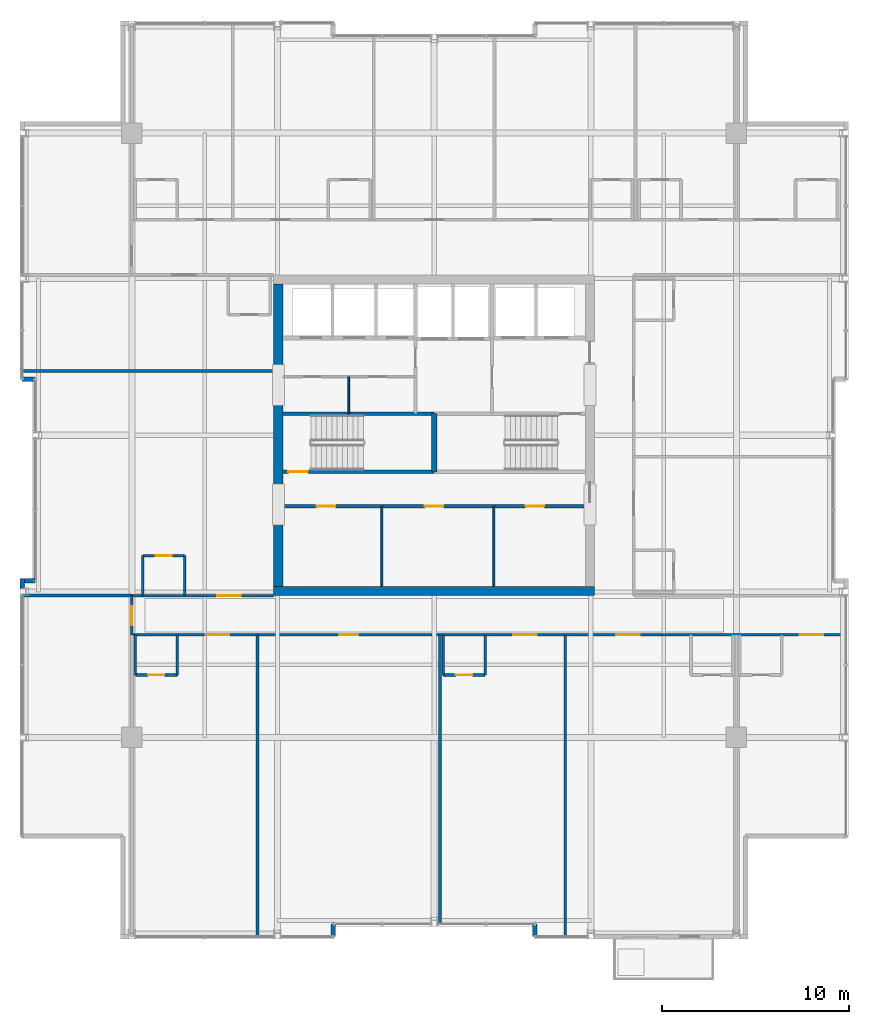
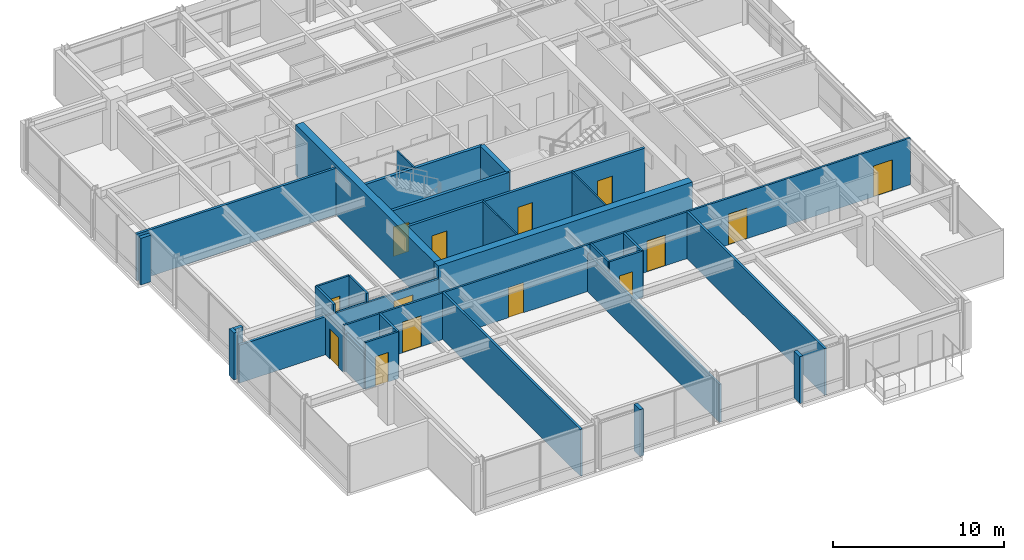
# One storey, part 26 of 31: 31 walls, 14 doors, 14 openings.
"""IFC4 building model written with IfcOpenShell, lengths in metres."""

import ifcopenshell
import ifcopenshell.guid

model = None  # the IFC model being written
_history = None  # IfcOwnerHistory: only IFC2X3 demands one
_inside = {}  # id of a spatial element -> (the spatial element, [elements in it])
_under = {}  # id of a project, library or spatial element -> (it, [spatial elements below it])
_declared = {}  # id of a project -> (the project, [libraries it declares])
_typed = {}  # id of a type object -> (the type object, [elements of that type])
_made_of = {}  # id of a material, layer set ... -> (it, [elements and type objects made of it])


def new_model(schema):
    """Start an empty IFC model of exactly this schema.

    Asked for "IFC4X3", IfcOpenShell would pick the latest addendum, in which some entities
    have other attributes; the version numbers below select the first issue.
    IFC2X3 requires an IfcOwnerHistory on every rooted entity: one is made here for all.
    """
    global model, _history
    if schema == "IFC4X3":
        model = ifcopenshell.file(schema_version=(4, 3, 0, 0))
    else:
        model = ifcopenshell.file(schema=schema)
    _inside.clear()
    _under.clear()
    _declared.clear()
    _typed.clear()
    _made_of.clear()
    _history = None
    if model.schema == "IFC2X3":
        org = make("IfcOrganization", Name="unknown")
        user = make(
            "IfcPersonAndOrganization",
            ThePerson=make("IfcPerson", FamilyName="unknown"),
            TheOrganization=org,
        )
        app = make(
            "IfcApplication",
            ApplicationDeveloper=org,
            Version="unknown",
            ApplicationFullName="unknown",
            ApplicationIdentifier="unknown",
        )
        _history = make(
            "IfcOwnerHistory",
            OwningUser=user,
            OwningApplication=app,
            ChangeAction="ADDED",
            CreationDate=0,
        )
    return model


def make(cls, **values):
    """One entity of the class cls with the attributes given. An attribute that is None is left unset."""
    return model.create_entity(
        cls, **{name: value for name, value in values.items() if value is not None}
    )


def rooted(cls, **values):
    """An entity with a GlobalId (a new one), such as an element, a storey or a relation."""
    return make(cls, GlobalId=ifcopenshell.guid.new(), OwnerHistory=_history, **values)


def si_unit(unit_type, name, prefix=None):
    """IfcSIUnit, for example si_unit("LENGTHUNIT", "METRE", prefix="MILLI")."""
    return make("IfcSIUnit", UnitType=unit_type, Prefix=prefix, Name=name)


def assignment(units):
    """IfcUnitAssignment: the units of a project."""
    return None if units is None else make("IfcUnitAssignment", Units=units)


def point(xyz):
    """IfcCartesianPoint."""
    return None if xyz is None else make("IfcCartesianPoint", Coordinates=xyz)


def direction(xyz):
    """IfcDirection."""
    return None if xyz is None else make("IfcDirection", DirectionRatios=xyz)


def frame(location, z_axis=None, x_axis=None):
    """IfcAxis2Placement3D, a coordinate frame: its origin and axes. An axis left out is left unset."""
    return make(
        "IfcAxis2Placement3D",
        Location=point(location),
        Axis=direction(z_axis),
        RefDirection=direction(x_axis),
    )


def frame_2d(location, x_axis=None):
    """IfcAxis2Placement2D, a coordinate frame in the plane: its origin and x axis."""
    return make(
        "IfcAxis2Placement2D", Location=point(location), RefDirection=direction(x_axis)
    )


def origin():
    """The frame at (0, 0, 0) with its axes left unset."""
    return frame((0.0, 0.0, 0.0))


def place(relative_to, where):
    """IfcLocalPlacement: puts the frame where relative to a parent placement (None: the world)."""
    return make(
        "IfcLocalPlacement", PlacementRelTo=relative_to, RelativePlacement=where
    )


def context(
    kind, dimensions, precision=None, world=None, true_north=None, identifier=None
):
    """IfcGeometricRepresentationContext, for example the 3D "Model" context."""
    return make(
        "IfcGeometricRepresentationContext",
        ContextIdentifier=identifier,
        ContextType=kind,
        CoordinateSpaceDimension=dimensions,
        Precision=precision,
        WorldCoordinateSystem=world,
        TrueNorth=true_north,
    )


def subcontext(parent, identifier, kind, view, scale=None):
    """IfcGeometricRepresentationSubContext, for example "Body" below "Model"."""
    return make(
        "IfcGeometricRepresentationSubContext",
        ContextIdentifier=identifier,
        ContextType=kind,
        ParentContext=parent,
        TargetScale=scale,
        TargetView=view,
    )


def project(units=None, contexts=None):
    """IfcProject with its units and contexts."""
    return rooted(
        "IfcProject",
        Name="project",
        RepresentationContexts=contexts,
        UnitsInContext=assignment(units),
    )


def spatial(cls, under=None, at=None, **own):
    """A site, building, storey or space (cls), placed at a placement, below another one or the project."""
    s = rooted(cls, ObjectPlacement=at, **own)
    if under is not None:
        _under.setdefault(under.id(), (under, []))[1].append(s)
    return s


def profile(cls, at=None, kind="AREA", **sizes):
    """A parametric profile (cls). Its sizes go by their IFC names, for example OverallWidth=200.0."""
    return make(cls, ProfileType=kind, Position=at, **sizes)


def rectangle(**sizes):
    """IfcRectangleProfileDef."""
    return profile("IfcRectangleProfileDef", **sizes)


def extrude(swept, where, along, depth):
    """IfcExtrudedAreaSolid: the profile swept, set in the frame where, extruded along a direction by depth."""
    return make(
        "IfcExtrudedAreaSolid",
        SweptArea=swept,
        Position=where,
        ExtrudedDirection=direction(along),
        Depth=depth,
    )


def shape(context_of_items, identifier, shape_type, items):
    """IfcShapeRepresentation: the items that make up one representation, for example the "Body"."""
    return make(
        "IfcShapeRepresentation",
        ContextOfItems=context_of_items,
        RepresentationIdentifier=identifier,
        RepresentationType=shape_type,
        Items=items,
    )


def material(Name=None, Category=None):
    """IfcMaterial."""
    return make("IfcMaterial", Name=Name, Category=Category)


def layer(
    of_material, thickness, ventilated=None, Name=None, Category=None, Priority=None
):
    """IfcMaterialLayer: one layer of a wall or slab, of a material (None: an air gap)."""
    return make(
        "IfcMaterialLayer",
        Material=of_material,
        LayerThickness=thickness,
        IsVentilated=ventilated,
        Name=Name,
        Category=Category,
        Priority=Priority,
    )


def layer_set(layers, Name=None):
    """IfcMaterialLayerSet."""
    return make("IfcMaterialLayerSet", MaterialLayers=layers, LayerSetName=Name)


def made_of(thing, what):
    """Note that an element or type object is made of a material, layer set ...; save() writes the relation."""
    if what is not None:
        _made_of.setdefault(what.id(), (what, []))[1].append(thing)
    return thing


def type_object(cls, material=None, **own):
    """A type object (cls), such as IfcWallType, which elements share."""
    return made_of(rooted(cls, **own), material)


def element(
    cls,
    number,
    at=None,
    inside=None,
    cuts=None,
    type_object=None,
    material=None,
    context=None,
    identifier="Body",
    shape_type=None,
    held_by="IfcProductDefinitionShape",
    body=None,
    shapes=None,
    **own,
):
    """One element of the class cls, such as IfcWall. Its Tag is "e" and its number.

    at: its placement. inside: the storey or other place that contains it. cuts: it is an
    opening in that element (IfcRelVoidsElement). A single representation is given by context,
    identifier, shape_type and body (its items); several are given by shapes. held_by: the class
    of the entity that holds the representations. save() writes the other relations.
    """
    e = rooted(cls, Tag="e%d" % number, ObjectPlacement=at, **own)
    if body is not None:
        shapes = [shape(context, identifier, shape_type, body)]
    if shapes is not None:
        e.Representation = make(held_by, Representations=shapes)
    if inside is not None:
        _inside.setdefault(inside.id(), (inside, []))[1].append(e)
    if cuts is not None:
        rooted(
            "IfcRelVoidsElement", RelatingBuildingElement=cuts, RelatedOpeningElement=e
        )
    if type_object is not None:
        _typed.setdefault(type_object.id(), (type_object, []))[1].append(e)
    return made_of(e, material)


def fill(opening, filler):
    """IfcRelFillsElement: the door or window that sits in an opening."""
    return rooted(
        "IfcRelFillsElement",
        RelatingOpeningElement=opening,
        RelatedBuildingElement=filler,
    )


def aggregate(whole, parts):
    """IfcRelAggregates: a whole, such as a stair, and the parts it consists of."""
    return rooted("IfcRelAggregates", RelatingObject=whole, RelatedObjects=parts)


def save(model, path):
    """Write the relations noted so far, then the file.

    IfcRelAggregates (storeys below a building ...), IfcRelContainedInSpatialStructure (elements
    in a storey), IfcRelDefinesByType, IfcRelAssociatesMaterial and IfcRelDeclares: one each for
    every whole, place, type object, material and project.
    """
    for whole, parts in _under.values():
        aggregate(whole, parts)
    for where, things in _inside.values():
        rooted(
            "IfcRelContainedInSpatialStructure",
            RelatedElements=things,
            RelatingStructure=where,
        )
    for kind, things in _typed.values():
        rooted("IfcRelDefinesByType", RelatedObjects=things, RelatingType=kind)
    for what, things in _made_of.values():
        rooted("IfcRelAssociatesMaterial", RelatedObjects=things, RelatingMaterial=what)
    for by, libraries in _declared.values():
        rooted("IfcRelDeclares", RelatingContext=by, RelatedDefinitions=libraries)
    model.write(path)


model = new_model("IFC4")

# Units and contexts
model_context = context("Model", 3, precision=1e-05, world=origin(), true_north=direction((0.0, 1.0)))
body_context = subcontext(model_context, "Body", "Model", "MODEL_VIEW")
ifc_project = project(units=[si_unit("LENGTHUNIT", "METRE"), si_unit("AREAUNIT", "SQUARE_METRE"), si_unit("VOLUMEUNIT", "CUBIC_METRE"), si_unit("PLANEANGLEUNIT", "RADIAN"), si_unit("MASSUNIT", "GRAM", prefix="KILO")], contexts=[model_context])

# Site, building, storey
site_placement = place(None, origin())
site = spatial("IfcSite", under=ifc_project, at=site_placement, CompositionType="ELEMENT")
building_placement = place(site_placement, origin())
building = spatial("IfcBuilding", under=site, at=building_placement, Name="Drelvath Grand Hotel", CompositionType="ELEMENT")
storey_placement = place(building_placement, frame((0.0, 0.0, 244.699951171875)))
storey = spatial("IfcBuildingStorey", under=building, at=storey_placement, Name="L64", CompositionType="ELEMENT", Elevation=244.699951171875)

# Walls
ifc_material_1 = material(Name="Gypsum Partition Board")
ifc_layer_1 = layer(ifc_material_1, 0.10009765625)
ifc_layer_set_1 = layer_set([ifc_layer_1], Name="Gypsum Partition Board")
wall_type_1 = type_object("IfcWallType", Name="Core Closet Partition 100", PredefinedType="PARTITIONING", material=ifc_layer_set_1)
wall_1_placement = place(storey_placement, frame((-4.580078125, 28.159912109375, 0.0), z_axis=(0.0, 0.0, 1.0), x_axis=(0.0, 1.0, 0.0)))
element("IfcWall", 1, at=wall_1_placement, inside=storey, type_object=wall_type_1, Name="L64 Core Closet Split 1", PredefinedType="PARTITIONING", context=body_context, shape_type="SweptSolid", body=[
    extrude(rectangle(XDim=1.97998046875, YDim=0.10009765625, at=frame_2d((0.989990234375, 0.0))), origin(), (0.0, 0.0, 1.0), 3.340087890625),
])
for number, where, z_axis, x_axis, name in (
    (2, (-2.800048828125, 18.89990234375, 0.0), (0.0, 0.0, 1.0), (0.0, 1.0, 0.0), "L64 Upper Core Split 1A"),
    (3, (3.199951171875, 18.89990234375, 0.0), (0.0, 0.0, 1.0), (0.0, 1.0, 0.0), "L64 Upper Core Split 1B"),
):
    element("IfcWall", number, at=place(storey_placement, frame(where, z_axis=z_axis, x_axis=x_axis)), inside=storey, type_object=wall_type_1, Name=name, PredefinedType="PARTITIONING", context=body_context, shape_type="SweptSolid", body=[
        extrude(rectangle(XDim=4.300048828125, YDim=0.10009765625, at=frame_2d((2.14990234375, 0.0))), origin(), (0.0, 0.0, 1.0), 3.340087890625),
    ])

# Wall, opening, door
ifc_material_2 = material(Name="Concrete C40/50", Category="concrete")
ifc_layer_2 = layer(ifc_material_2, 0.199951171875)
ifc_layer_set_2 = layer_set([ifc_layer_2], Name="Concrete C40/50")
wall_type_2 = type_object("IfcWallType", Name="Core Shaft Fire Wall 200", PredefinedType="SOLIDWALL", material=ifc_layer_set_2)
wall_2_placement = place(storey_placement, frame((-8.10009765625, 25.0400390625, 0.0), z_axis=(0.0, 0.0, 1.0), x_axis=(1.0, 0.0, 0.0)))
wall_2 = element("IfcWall", 4, at=wall_2_placement, inside=storey, type_object=wall_type_2, Name="L64 Stair ST-1 South Wall", PredefinedType="SOLIDWALL", context=body_context, shape_type="SweptSolid", body=[
    extrude(rectangle(XDim=8.10009765625, YDim=0.199951171875, at=frame_2d((4.050048828125, 0.0))), origin(), (0.0, 0.0, 1.0), 3.340087890625),
])
opening_1_placement = place(wall_2_placement, frame((0.280029296875, 0.0, 0.0)))
opening_1 = element("IfcOpeningElement", 5, at=opening_1_placement, cuts=wall_2, Name="Opening D-T4G4-001", PredefinedType="OPENING", context=body_context, shape_type="SweptSolid", body=[
    extrude(rectangle(XDim=1.050048828125, YDim=2.10009765625, at=frame_2d((0.52490234375, 1.050048828125))), frame((0.0, 0.10986328125, 0.0), z_axis=(0.0, -1.0, 0.0), x_axis=(1.0, 0.0, 0.0)), (0.0, 0.0, 1.0), 0.219970703125),
])
ifc_material_3 = material(Name="Painted Steel S275", Category="steel")
door_type_1 = type_object("IfcDoorType", Name="Tower Stairwell Fire Door 1050x2100", OperationType="NOTDEFINED", PredefinedType="DOOR", material=ifc_material_3)
door_1_placement = place(opening_1_placement, origin())
door_1 = element("IfcDoor", 6, at=door_1_placement, inside=storey, type_object=door_type_1, Name="L64 Exit Stair ST-1 Door", OperationType="SINGLE_SWING_LEFT", OverallHeight=2.10009765625, OverallWidth=1.050048828125, PredefinedType="DOOR", context=body_context, shape_type="SweptSolid", body=[
    extrude(rectangle(XDim=1.050048828125, YDim=2.10009765625, at=frame_2d((0.52490234375, 1.050048828125))), frame((0.0, 0.02490234375, 0.0), z_axis=(0.0, -1.0, 0.0), x_axis=(1.0, 0.0, 0.0)), (0.0, 0.0, 1.0), 0.050048828125),
])
fill(opening_1, door_1)

# Walls
wall_3_placement = place(storey_placement, frame((-8.10009765625, 28.159912109375, 0.0), z_axis=(0.0, 0.0, 1.0), x_axis=(1.0, 0.0, 0.0)))
element("IfcWall", 7, at=wall_3_placement, inside=storey, type_object=wall_type_2, Name="L64 Stair ST-1 North Wall", PredefinedType="SOLIDWALL", context=body_context, shape_type="SweptSolid", body=[
    extrude(rectangle(XDim=8.10009765625, YDim=0.199951171875, at=frame_2d((4.050048828125, 0.0))), origin(), (0.0, 0.0, 1.0), 3.340087890625),
])
ifc_layer_3 = layer(ifc_material_2, 0.300048828125)
ifc_layer_set_3 = layer_set([ifc_layer_3], Name="Concrete C40/50")
wall_type_3 = type_object("IfcWallType", Name="Core Shaft Fire Wall 300", PredefinedType="SOLIDWALL", material=ifc_layer_set_3)
wall_4_placement = place(storey_placement, frame((0.0, 25.0400390625, 0.0), z_axis=(0.0, 0.0, 1.0), x_axis=(0.0, 1.0, 0.0)))
element("IfcWall", 8, at=wall_4_placement, inside=storey, type_object=wall_type_3, Name="L64 Core Stair Divider Wall", PredefinedType="SOLIDWALL", context=body_context, shape_type="SweptSolid", body=[
    extrude(rectangle(XDim=3.119873046875, YDim=0.300048828125, at=frame_2d((1.56005859375, 0.0))), origin(), (0.0, 0.0, 1.0), 3.340087890625),
])

# Wall, openings, doors
ifc_material_4 = material(Name="Gypsum Fireboard Partition")
ifc_layer_4 = layer(ifc_material_4, 0.135009765625)
ifc_layer_set_4 = layer_set([ifc_layer_4], Name="Gypsum Fireboard Partition")
wall_type_4 = type_object("IfcWallType", Name="Corridor Fire Barrier Wall 135", PredefinedType="PARTITIONING", material=ifc_layer_set_4)
wall_5_placement = place(storey_placement, frame((-16.199951171875, 16.300048828125, 0.0), z_axis=(0.0, 0.0, 1.0), x_axis=(1.0, 0.0, 0.0)))
wall_5 = element("IfcWall", 9, at=wall_5_placement, inside=storey, type_object=wall_type_4, Name="L64 South Cross-Gallery Wall", PredefinedType="PARTITIONING", context=body_context, shape_type="SweptSolid", body=[
    extrude(rectangle(XDim=38.280029296875, YDim=0.135009765625, at=frame_2d((19.14013671875, 0.0))), origin(), (0.0, 0.0, 1.0), 3.340087890625),
])
opening_2_placement = place(wall_5_placement, frame((35.784912109375, 0.0, 0.0)))
opening_2 = element("IfcOpeningElement", 10, at=opening_2_placement, cuts=wall_5, Name="Opening D-T4G4-022", PredefinedType="OPENING", context=body_context, shape_type="SweptSolid", body=[
    extrude(rectangle(XDim=1.260009765625, YDim=2.199951171875, at=frame_2d((0.6298828125, 1.10009765625))), frame((0.0, 0.077392578125, 0.0), z_axis=(0.0, -1.0, 0.0), x_axis=(1.0, 0.0, 0.0)), (0.0, 0.0, 1.0), 0.155029296875),
])
opening_3_placement = place(wall_5_placement, frame((3.947265625, 0.0, 0.0)))
opening_3 = element("IfcOpeningElement", 11, at=opening_3_placement, cuts=wall_5, Name="Opening D-T4G4-026", PredefinedType="OPENING", context=body_context, shape_type="SweptSolid", body=[
    extrude(rectangle(XDim=1.260009765625, YDim=2.199951171875, at=frame_2d((0.6298828125, 1.10009765625))), frame((0.0, 0.077392578125, 0.0), z_axis=(0.0, -1.0, 0.0), x_axis=(1.0, 0.0, 0.0)), (0.0, 0.0, 1.0), 0.155029296875),
])
opening_4_placement = place(wall_5_placement, frame((11.10498046875, 0.0, 0.0)))
opening_4 = element("IfcOpeningElement", 12, at=opening_4_placement, cuts=wall_5, Name="Opening D-T4G4-027", PredefinedType="OPENING", context=body_context, shape_type="SweptSolid", body=[
    extrude(rectangle(XDim=1.02001953125, YDim=2.14990234375, at=frame_2d((0.510009765625, 1.074951171875))), frame((0.0, 0.077392578125, 0.0), z_axis=(0.0, -1.0, 0.0), x_axis=(1.0, 0.0, 0.0)), (0.0, 0.0, 1.0), 0.155029296875),
])
opening_5_placement = place(wall_5_placement, frame((20.452880859375, 0.0, 0.0)))
opening_5 = element("IfcOpeningElement", 13, at=opening_5_placement, cuts=wall_5, Name="Opening D-T4G4-029", PredefinedType="OPENING", context=body_context, shape_type="SweptSolid", body=[
    extrude(rectangle(XDim=1.260009765625, YDim=2.199951171875, at=frame_2d((0.6298828125, 1.10009765625))), frame((0.0, 0.077392578125, 0.0), z_axis=(0.0, -1.0, 0.0), x_axis=(1.0, 0.0, 0.0)), (0.0, 0.0, 1.0), 0.155029296875),
])
opening_6_placement = place(wall_5_placement, frame((25.97021484375, 0.0, 0.0)))
opening_6 = element("IfcOpeningElement", 14, at=opening_6_placement, cuts=wall_5, Name="Opening D-T4G4-031", PredefinedType="OPENING", context=body_context, shape_type="SweptSolid", body=[
    extrude(rectangle(XDim=1.260009765625, YDim=2.199951171875, at=frame_2d((0.6298828125, 1.10009765625))), frame((0.0, 0.077392578125, 0.0), z_axis=(0.0, -1.0, 0.0), x_axis=(1.0, 0.0, 0.0)), (0.0, 0.0, 1.0), 0.155029296875),
])
ifc_material_5 = material(Name="Hardwood Walnut Timber", Category="wood")
door_type_2 = type_object("IfcDoorType", Name="Amenity Meeting Fire Door 1020x2150", OperationType="NOTDEFINED", PredefinedType="DOOR", material=ifc_material_5)
door_2_placement = place(opening_4_placement, origin())
door_2 = element("IfcDoor", 15, at=door_2_placement, inside=storey, type_object=door_type_2, Name="L64 Summit Conference Room Entry Door", OperationType="SINGLE_SWING_RIGHT", OverallHeight=2.14990234375, OverallWidth=1.02001953125, PredefinedType="DOOR", context=body_context, shape_type="SweptSolid", body=[
    extrude(rectangle(XDim=1.02001953125, YDim=2.14990234375, at=frame_2d((0.510009765625, 1.074951171875))), frame((0.0, 0.02490234375, 0.0), z_axis=(0.0, -1.0, 0.0), x_axis=(1.0, 0.0, 0.0)), (0.0, 0.0, 1.0), 0.050048828125),
])
fill(opening_4, door_2)
door_type_3 = type_object("IfcDoorType", Name="Suite Entrance Fire Door 1260x2200", OperationType="NOTDEFINED", PredefinedType="DOOR", material=ifc_material_5)
door_3_placement = place(opening_2_placement, origin())
door_3 = element("IfcDoor", 16, at=door_3_placement, inside=storey, type_object=door_type_3, Name="L64 Diplomatic Suite Entry Door", OperationType="SINGLE_SWING_LEFT", OverallHeight=2.199951171875, OverallWidth=1.260009765625, PredefinedType="DOOR", context=body_context, shape_type="SweptSolid", body=[
    extrude(rectangle(XDim=1.260009765625, YDim=2.199951171875, at=frame_2d((0.6298828125, 1.10009765625))), frame((0.0, 0.02490234375, 0.0), z_axis=(0.0, -1.0, 0.0), x_axis=(1.0, 0.0, 0.0)), (0.0, 0.0, 1.0), 0.050048828125),
])
fill(opening_2, door_3)
door_4_placement = place(opening_3_placement, origin())
door_4 = element("IfcDoor", 17, at=door_4_placement, inside=storey, type_object=door_type_3, Name="L64 Diplomatic Suite Entry Door", OperationType="SINGLE_SWING_LEFT", OverallHeight=2.199951171875, OverallWidth=1.260009765625, PredefinedType="DOOR", context=body_context, shape_type="SweptSolid", body=[
    extrude(rectangle(XDim=1.260009765625, YDim=2.199951171875, at=frame_2d((0.6298828125, 1.10009765625))), frame((0.0, 0.02490234375, 0.0), z_axis=(0.0, -1.0, 0.0), x_axis=(1.0, 0.0, 0.0)), (0.0, 0.0, 1.0), 0.050048828125),
])
fill(opening_3, door_4)
door_5_placement = place(opening_5_placement, origin())
door_5 = element("IfcDoor", 18, at=door_5_placement, inside=storey, type_object=door_type_3, Name="L64 Diplomatic Suite Entry Door", OperationType="SINGLE_SWING_RIGHT", OverallHeight=2.199951171875, OverallWidth=1.260009765625, PredefinedType="DOOR", context=body_context, shape_type="SweptSolid", body=[
    extrude(rectangle(XDim=1.260009765625, YDim=2.199951171875, at=frame_2d((0.6298828125, 1.10009765625))), frame((0.0, 0.02490234375, 0.0), z_axis=(0.0, -1.0, 0.0), x_axis=(1.0, 0.0, 0.0)), (0.0, 0.0, 1.0), 0.050048828125),
])
fill(opening_5, door_5)
door_6_placement = place(opening_6_placement, origin())
door_6 = element("IfcDoor", 19, at=door_6_placement, inside=storey, type_object=door_type_3, Name="L64 Diplomatic Suite Entry Door", OperationType="SINGLE_SWING_RIGHT", OverallHeight=2.199951171875, OverallWidth=1.260009765625, PredefinedType="DOOR", context=body_context, shape_type="SweptSolid", body=[
    extrude(rectangle(XDim=1.260009765625, YDim=2.199951171875, at=frame_2d((0.6298828125, 1.10009765625))), frame((0.0, 0.02490234375, 0.0), z_axis=(0.0, -1.0, 0.0), x_axis=(1.0, 0.0, 0.0)), (0.0, 0.0, 1.0), 0.050048828125),
])
fill(opening_6, door_6)

# Wall, opening, door
wall_6_placement = place(storey_placement, frame((-16.199951171875, 18.39990234375, 0.0), z_axis=(0.0, 0.0, 1.0), x_axis=(1.0, 0.0, 0.0)))
wall_6 = element("IfcWall", 20, at=wall_6_placement, inside=storey, type_object=wall_type_4, Name="L64 South Gallery Inner West Wall", PredefinedType="PARTITIONING", context=body_context, shape_type="SweptSolid", body=[
    extrude(rectangle(XDim=7.599853515625, YDim=0.135009765625, at=frame_2d((3.7998046875, 0.0))), origin(), (0.0, 0.0, 1.0), 2.717529296875),
])
opening_7_placement = place(wall_6_placement, frame((4.5849609375, 0.0, 0.0)))
opening_7 = element("IfcOpeningElement", 21, at=opening_7_placement, cuts=wall_6, Name="Opening D-T4G4-046", PredefinedType="OPENING", context=body_context, shape_type="SweptSolid", body=[
    extrude(rectangle(XDim=1.260009765625, YDim=2.199951171875, at=frame_2d((0.6298828125, 1.10009765625))), frame((0.0, 0.077392578125, 0.0), z_axis=(0.0, -1.0, 0.0), x_axis=(1.0, 0.0, 0.0)), (0.0, 0.0, 1.0), 0.155029296875),
])
door_7_placement = place(opening_7_placement, origin())
door_7 = element("IfcDoor", 22, at=door_7_placement, inside=storey, type_object=door_type_3, Name="L64 Diplomatic Suite Entry Door", OperationType="SINGLE_SWING_LEFT", OverallHeight=2.199951171875, OverallWidth=1.260009765625, PredefinedType="DOOR", context=body_context, shape_type="SweptSolid", body=[
    extrude(rectangle(XDim=1.260009765625, YDim=2.199951171875, at=frame_2d((0.6298828125, 1.10009765625))), frame((0.0, 0.02490234375, 0.0), z_axis=(0.0, -1.0, 0.0), x_axis=(1.0, 0.0, 0.0)), (0.0, 0.0, 1.0), 0.050048828125),
])
fill(opening_7, door_7)

wall_7_placement = place(storey_placement, frame((-16.199951171875, 16.300048828125, 0.0), z_axis=(0.0, 0.0, 1.0), x_axis=(0.0, 1.0, 0.0)))
wall_7 = element("IfcWall", 23, at=wall_7_placement, inside=storey, type_object=wall_type_4, Name="L64 South Gallery West End", PredefinedType="PARTITIONING", context=body_context, shape_type="SweptSolid", body=[
    extrude(rectangle(XDim=2.099853515625, YDim=0.135009765625, at=frame_2d((1.0498046875, 0.0))), origin(), (0.0, 0.0, 1.0), 2.7138671875),
])
opening_8_placement = place(wall_7_placement, frame((0.52001953125, 0.0, 0.0)))
opening_8 = element("IfcOpeningElement", 24, at=opening_8_placement, cuts=wall_7, Name="Opening D-T4G4-019", PredefinedType="OPENING", context=body_context, shape_type="SweptSolid", body=[
    extrude(rectangle(XDim=1.02001953125, YDim=2.14990234375, at=frame_2d((0.510009765625, 1.074951171875))), frame((0.0, 0.077392578125, 0.0), z_axis=(0.0, -1.0, 0.0), x_axis=(1.0, 0.0, 0.0)), (0.0, 0.0, 1.0), 0.155029296875),
])
door_8_placement = place(opening_8_placement, origin())
door_8 = element("IfcDoor", 25, at=door_8_placement, inside=storey, type_object=door_type_2, Name="L64 Corner Panorama Lounge Door", OperationType="SINGLE_SWING_RIGHT", OverallHeight=2.14990234375, OverallWidth=1.02001953125, PredefinedType="DOOR", context=body_context, shape_type="SweptSolid", body=[
    extrude(rectangle(XDim=1.02001953125, YDim=2.14990234375, at=frame_2d((0.510009765625, 1.074951171875))), frame((0.0, 0.02490234375, 0.0), z_axis=(0.0, -1.0, 0.0), x_axis=(1.0, 0.0, 0.0)), (0.0, 0.0, 1.0), 0.050048828125),
])
fill(opening_8, door_8)

# Walls
ifc_material_6 = material(Name="Moisture-Resistant Gypsum Board")
ifc_layer_5 = layer(ifc_material_6, 0.139892578125)
ifc_layer_set_5 = layer_set([ifc_layer_5], Name="Moisture-Resistant Gypsum Board")
wall_type_5 = type_object("IfcWallType", Name="En-Suite Plumbing Wall 140", PredefinedType="PLUMBINGWALL", material=ifc_layer_set_5)
wall_8_placement = place(storey_placement, frame((-16.02001953125, 16.300048828125, 0.0), z_axis=(0.0, 0.0, 1.0), x_axis=(0.0, -1.0, 0.0)))
element("IfcWall", 26, at=wall_8_placement, inside=storey, type_object=wall_type_5, Name="L64 En-Suite Left Wall", PredefinedType="PLUMBINGWALL", context=body_context, shape_type="SweptSolid", body=[
    extrude(rectangle(XDim=2.150146484375, YDim=0.139892578125, at=frame_2d((1.0751953125, 0.0))), origin(), (0.0, 0.0, 1.0), 2.7138671875),
])
wall_9_placement = place(storey_placement, frame((-13.77001953125, 16.300048828125, 0.0), z_axis=(0.0, 0.0, 1.0), x_axis=(0.0, -1.0, 0.0)))
element("IfcWall", 27, at=wall_9_placement, inside=storey, type_object=wall_type_5, Name="L64 En-Suite Right Wall", PredefinedType="PLUMBINGWALL", context=body_context, shape_type="SweptSolid", body=[
    extrude(rectangle(XDim=2.150146484375, YDim=0.139892578125, at=frame_2d((1.0751953125, 0.0))), origin(), (0.0, 0.0, 1.0), 3.340087890625),
])

# Wall, opening, door
wall_10_placement = place(storey_placement, frame((-16.02001953125, 14.14990234375, 0.0), z_axis=(0.0, 0.0, 1.0), x_axis=(1.0, 0.0, 0.0)))
wall_10 = element("IfcWall", 28, at=wall_10_placement, inside=storey, type_object=wall_type_5, Name="L64 En-Suite Front Wall", PredefinedType="PLUMBINGWALL", context=body_context, shape_type="SweptSolid", body=[
    extrude(rectangle(XDim=2.25, YDim=0.139892578125, at=frame_2d((1.125, 0.0))), origin(), (0.0, 0.0, 1.0), 3.340087890625),
])
opening_9_placement = place(wall_10_placement, frame((0.68505859375, 0.0, 0.0)))
opening_9 = element("IfcOpeningElement", 29, at=opening_9_placement, cuts=wall_10, Name="Opening D-T4G4-025", PredefinedType="OPENING", context=body_context, shape_type="SweptSolid", body=[
    extrude(rectangle(XDim=0.8798828125, YDim=2.10009765625, at=frame_2d((0.43994140625, 1.050048828125))), frame((0.0, 0.079833984375, 0.0), z_axis=(0.0, -1.0, 0.0), x_axis=(1.0, 0.0, 0.0)), (0.0, 0.0, 1.0), 0.159912109375),
])
door_type_4 = type_object("IfcDoorType", Name="En-Suite Bathroom Door 880x2100", OperationType="NOTDEFINED", PredefinedType="DOOR", material=ifc_material_5)
door_9_placement = place(opening_9_placement, origin())
door_9 = element("IfcDoor", 30, at=door_9_placement, inside=storey, type_object=door_type_4, Name="L64 En-Suite Bathroom Door", OperationType="SINGLE_SWING_RIGHT", OverallHeight=2.10009765625, OverallWidth=0.8798828125, PredefinedType="DOOR", context=body_context, shape_type="SweptSolid", body=[
    extrude(rectangle(XDim=0.8798828125, YDim=2.10009765625, at=frame_2d((0.43994140625, 1.050048828125))), frame((0.0, 0.02490234375, 0.0), z_axis=(0.0, -1.0, 0.0), x_axis=(1.0, 0.0, 0.0)), (0.0, 0.0, 1.0), 0.050048828125),
])
fill(opening_9, door_9)

# Walls
for number, where, z_axis, x_axis, name in (
    (31, (0.485595703125, 16.300048828125, 0.0), (0.0, 0.0, 1.0), (0.0, -1.0, 0.0), "L64 En-Suite Left Wall"),
    (32, (2.735595703125, 16.300048828125, 0.0), (0.0, 0.0, 1.0), (0.0, -1.0, 0.0), "L64 En-Suite Right Wall"),
):
    element("IfcWall", number, at=place(storey_placement, frame(where, z_axis=z_axis, x_axis=x_axis)), inside=storey, type_object=wall_type_5, Name=name, PredefinedType="PLUMBINGWALL", context=body_context, shape_type="SweptSolid", body=[
        extrude(rectangle(XDim=2.150146484375, YDim=0.139892578125, at=frame_2d((1.0751953125, 0.0))), origin(), (0.0, 0.0, 1.0), 3.340087890625),
    ])

# Wall, opening, door
wall_11_placement = place(storey_placement, frame((0.485595703125, 14.14990234375, 0.0), z_axis=(0.0, 0.0, 1.0), x_axis=(1.0, 0.0, 0.0)))
wall_11 = element("IfcWall", 33, at=wall_11_placement, inside=storey, type_object=wall_type_5, Name="L64 En-Suite Front Wall", PredefinedType="PLUMBINGWALL", context=body_context, shape_type="SweptSolid", body=[
    extrude(rectangle(XDim=2.25, YDim=0.139892578125, at=frame_2d((1.125, 0.0))), origin(), (0.0, 0.0, 1.0), 3.340087890625),
])
opening_10_placement = place(wall_11_placement, frame((0.68505859375, 0.0, 0.0)))
opening_10 = element("IfcOpeningElement", 34, at=opening_10_placement, cuts=wall_11, Name="Opening D-T4G4-028", PredefinedType="OPENING", context=body_context, shape_type="SweptSolid", body=[
    extrude(rectangle(XDim=0.8798828125, YDim=2.10009765625, at=frame_2d((0.43994140625, 1.050048828125))), frame((0.0, 0.079833984375, 0.0), z_axis=(0.0, -1.0, 0.0), x_axis=(1.0, 0.0, 0.0)), (0.0, 0.0, 1.0), 0.159912109375),
])
door_10_placement = place(opening_10_placement, origin())
door_10 = element("IfcDoor", 35, at=door_10_placement, inside=storey, type_object=door_type_4, Name="L64 En-Suite Bathroom Door", OperationType="SINGLE_SWING_LEFT", OverallHeight=2.10009765625, OverallWidth=0.8798828125, PredefinedType="DOOR", context=body_context, shape_type="SweptSolid", body=[
    extrude(rectangle(XDim=0.8798828125, YDim=2.10009765625, at=frame_2d((0.43994140625, 1.050048828125))), frame((0.0, 0.02490234375, 0.0), z_axis=(0.0, -1.0, 0.0), x_axis=(1.0, 0.0, 0.0)), (0.0, 0.0, 1.0), 0.050048828125),
])
fill(opening_10, door_10)

# Walls
for number, where, z_axis, x_axis, name in (
    (36, (-15.6201171875, 18.39990234375, 0.0), (0.0, 0.0, 1.0), (0.0, 1.0, 0.0), "L64 En-Suite Left Wall"),
    (37, (-13.3701171875, 18.39990234375, 0.0), (0.0, 0.0, 1.0), (0.0, 1.0, 0.0), "L64 En-Suite Right Wall"),
):
    element("IfcWall", number, at=place(storey_placement, frame(where, z_axis=z_axis, x_axis=x_axis)), inside=storey, type_object=wall_type_5, Name=name, PredefinedType="PLUMBINGWALL", context=body_context, shape_type="SweptSolid", body=[
        extrude(rectangle(XDim=2.150146484375, YDim=0.139892578125, at=frame_2d((1.0751953125, 0.0))), origin(), (0.0, 0.0, 1.0), 3.340087890625),
    ])

# Wall, opening, door
wall_12_placement = place(storey_placement, frame((-15.6201171875, 20.550048828125, 0.0), z_axis=(0.0, 0.0, 1.0), x_axis=(1.0, 0.0, 0.0)))
wall_12 = element("IfcWall", 38, at=wall_12_placement, inside=storey, type_object=wall_type_5, Name="L64 En-Suite Front Wall", PredefinedType="PLUMBINGWALL", context=body_context, shape_type="SweptSolid", body=[
    extrude(rectangle(XDim=2.25, YDim=0.139892578125, at=frame_2d((1.125, 0.0))), origin(), (0.0, 0.0, 1.0), 3.340087890625),
])
opening_11_placement = place(wall_12_placement, frame((0.68505859375, 0.0, 0.0)))
opening_11 = element("IfcOpeningElement", 39, at=opening_11_placement, cuts=wall_12, Name="Opening D-T4G4-045", PredefinedType="OPENING", context=body_context, shape_type="SweptSolid", body=[
    extrude(rectangle(XDim=0.8798828125, YDim=2.10009765625, at=frame_2d((0.43994140625, 1.050048828125))), frame((0.0, 0.079833984375, 0.0), z_axis=(0.0, -1.0, 0.0), x_axis=(1.0, 0.0, 0.0)), (0.0, 0.0, 1.0), 0.159912109375),
])
door_11_placement = place(opening_11_placement, origin())
door_11 = element("IfcDoor", 40, at=door_11_placement, inside=storey, type_object=door_type_4, Name="L64 En-Suite Bathroom Door", OperationType="SINGLE_SWING_RIGHT", OverallHeight=2.10009765625, OverallWidth=0.8798828125, PredefinedType="DOOR", context=body_context, shape_type="SweptSolid", body=[
    extrude(rectangle(XDim=0.8798828125, YDim=2.10009765625, at=frame_2d((0.43994140625, 1.050048828125))), frame((0.0, 0.02490234375, 0.0), z_axis=(0.0, -1.0, 0.0), x_axis=(1.0, 0.0, 0.0)), (0.0, 0.0, 1.0), 0.050048828125),
])
fill(opening_11, door_11)

# Wall, openings, doors
ifc_layer_6 = layer(ifc_material_4, 0.179931640625)
ifc_layer_set_6 = layer_set([ifc_layer_6], Name="Gypsum Fireboard Partition")
wall_type_6 = type_object("IfcWallType", Name="FSAE Smoke Lobby Fire Wall 180", PredefinedType="SOLIDWALL", material=ifc_layer_set_6)
wall_13_placement = place(storey_placement, frame((-8.10009765625, 23.199951171875, 0.0), z_axis=(0.0, 0.0, 1.0), x_axis=(1.0, 0.0, 0.0)))
wall_13 = element("IfcWall", 41, at=wall_13_placement, inside=storey, type_object=wall_type_6, Name="L64 Upper Reclaimed Core Wall", PredefinedType="SOLIDWALL", context=body_context, shape_type="SweptSolid", body=[
    extrude(rectangle(XDim=16.2001953125, YDim=0.179931640625, at=frame_2d((8.10009765625, 0.0))), origin(), (0.0, 0.0, 1.0), 3.340087890625),
])
opening_12_placement = place(wall_13_placement, frame((1.800048828125, 0.0, 0.0)))
opening_12 = element("IfcOpeningElement", 42, at=opening_12_placement, cuts=wall_13, Name="Opening D-T4G4-016", PredefinedType="OPENING", context=body_context, shape_type="SweptSolid", body=[
    extrude(rectangle(XDim=1.0, YDim=2.10009765625, at=frame_2d((0.5, 1.050048828125))), frame((0.0, 0.099853515625, 0.0), z_axis=(0.0, -1.0, 0.0), x_axis=(1.0, 0.0, 0.0)), (0.0, 0.0, 1.0), 0.199951171875),
])
opening_13_placement = place(wall_13_placement, frame((7.60009765625, 0.0, 0.0)))
opening_13 = element("IfcOpeningElement", 43, at=opening_13_placement, cuts=wall_13, Name="Opening D-T4G4-017", PredefinedType="OPENING", context=body_context, shape_type="SweptSolid", body=[
    extrude(rectangle(XDim=1.0, YDim=2.10009765625, at=frame_2d((0.5, 1.050048828125))), frame((0.0, 0.099853515625, 0.0), z_axis=(0.0, -1.0, 0.0), x_axis=(1.0, 0.0, 0.0)), (0.0, 0.0, 1.0), 0.199951171875),
])
opening_14_placement = place(wall_13_placement, frame((13.0, 0.0, 0.0)))
opening_14 = element("IfcOpeningElement", 44, at=opening_14_placement, cuts=wall_13, Name="Opening D-T4G4-018", PredefinedType="OPENING", context=body_context, shape_type="SweptSolid", body=[
    extrude(rectangle(XDim=1.0, YDim=2.10009765625, at=frame_2d((0.5, 1.050048828125))), frame((0.0, 0.099853515625, 0.0), z_axis=(0.0, -1.0, 0.0), x_axis=(1.0, 0.0, 0.0)), (0.0, 0.0, 1.0), 0.199951171875),
])
door_type_5 = type_object("IfcDoorType", Name="Core Service Fire Door 1000x2100", OperationType="NOTDEFINED", PredefinedType="DOOR", material=ifc_material_3)
door_12_placement = place(opening_12_placement, origin())
door_12 = element("IfcDoor", 45, at=door_12_placement, inside=storey, type_object=door_type_5, Name="L64 Housekeeping Door", OperationType="SINGLE_SWING_LEFT", OverallHeight=2.10009765625, OverallWidth=1.0, PredefinedType="DOOR", context=body_context, shape_type="SweptSolid", body=[
    extrude(rectangle(XDim=1.0, YDim=2.10009765625, at=frame_2d((0.5, 1.050048828125))), frame((0.0, 0.02490234375, 0.0), z_axis=(0.0, -1.0, 0.0), x_axis=(1.0, 0.0, 0.0)), (0.0, 0.0, 1.0), 0.050048828125),
])
fill(opening_12, door_12)
door_13_placement = place(opening_13_placement, origin())
door_13 = element("IfcDoor", 46, at=door_13_placement, inside=storey, type_object=door_type_5, Name="L64 Prep Pantry Door", OperationType="SINGLE_SWING_RIGHT", OverallHeight=2.10009765625, OverallWidth=1.0, PredefinedType="DOOR", context=body_context, shape_type="SweptSolid", body=[
    extrude(rectangle(XDim=1.0, YDim=2.10009765625, at=frame_2d((0.5, 1.050048828125))), frame((0.0, 0.02490234375, 0.0), z_axis=(0.0, -1.0, 0.0), x_axis=(1.0, 0.0, 0.0)), (0.0, 0.0, 1.0), 0.050048828125),
])
fill(opening_13, door_13)
door_14_placement = place(opening_14_placement, origin())
door_14 = element("IfcDoor", 47, at=door_14_placement, inside=storey, type_object=door_type_5, Name="L64 AV Room Door", OperationType="SINGLE_SWING_LEFT", OverallHeight=2.10009765625, OverallWidth=1.0, PredefinedType="DOOR", context=body_context, shape_type="SweptSolid", body=[
    extrude(rectangle(XDim=1.0, YDim=2.10009765625, at=frame_2d((0.5, 1.050048828125))), frame((0.0, 0.02490234375, 0.0), z_axis=(0.0, -1.0, 0.0), x_axis=(1.0, 0.0, 0.0)), (0.0, 0.0, 1.0), 0.050048828125),
])
fill(opening_14, door_14)

# Walls
ifc_material_7 = material(Name="Gypsum Acoustic Partition")
ifc_layer_7 = layer(ifc_material_7, 0.14990234375)
ifc_layer_set_7 = layer_set([ifc_layer_7], Name="Gypsum Acoustic Partition")
wall_type_7 = type_object("IfcWallType", Name="Guestroom Demising Wall 150", PredefinedType="PARTITIONING", material=ifc_layer_set_7)
wall_14_placement = place(storey_placement, frame((-9.4755859375, 0.1201171875, 0.0), z_axis=(0.0, 0.0, 1.0), x_axis=(0.0, 1.0, 0.0)))
element("IfcWall", 48, at=wall_14_placement, inside=storey, type_object=wall_type_7, Name="L64 South Demising 1", PredefinedType="PARTITIONING", context=body_context, shape_type="SweptSolid", body=[
    extrude(rectangle(XDim=16.179931640625, YDim=0.14990234375, at=frame_2d((8.08984375, 0.0))), origin(), (0.0, 0.0, 1.0), 3.340087890625),
])
wall_15_placement = place(storey_placement, frame((0.3056640625, 0.800048828125, 0.0), z_axis=(0.0, 0.0, 1.0), x_axis=(0.0, 1.0, 0.0)))
element("IfcWall", 49, at=wall_15_placement, inside=storey, type_object=wall_type_7, Name="L64 South Demising 2", PredefinedType="PARTITIONING", context=body_context, shape_type="SweptSolid", body=[
    extrude(rectangle(XDim=15.5, YDim=0.14990234375, at=frame_2d((7.75, 0.0))), origin(), (0.0, 0.0, 1.0), 2.7138671875),
])
wall_16_placement = place(storey_placement, frame((7.0302734375, 0.1201171875, 0.0), z_axis=(0.0, 0.0, 1.0), x_axis=(0.0, 1.0, 0.0)))
element("IfcWall", 50, at=wall_16_placement, inside=storey, type_object=wall_type_7, Name="L64 South Demising 3", PredefinedType="PARTITIONING", context=body_context, shape_type="SweptSolid", body=[
    extrude(rectangle(XDim=16.179931640625, YDim=0.14990234375, at=frame_2d((8.08984375, 0.0))), origin(), (0.0, 0.0, 1.0), 3.340087890625),
])
ifc_layer_8 = layer(ifc_material_7, 0.1650390625)
ifc_layer_set_8 = layer_set([ifc_layer_8], Name="Gypsum Acoustic Partition")
wall_type_8 = type_object("IfcWallType", Name="Suite Demising Wall 165", PredefinedType="PARTITIONING", material=ifc_layer_set_8)
wall_17_placement = place(storey_placement, frame((-22.080078125, 18.39990234375, 0.0), z_axis=(0.0, 0.0, 1.0), x_axis=(1.0, 0.0, 0.0)))
element("IfcWall", 51, at=wall_17_placement, inside=storey, type_object=wall_type_8, Name="L64 SW Corner North Wall", PredefinedType="PARTITIONING", context=body_context, shape_type="SweptSolid", body=[
    extrude(rectangle(XDim=5.880126953125, YDim=0.1650390625, at=frame_2d((2.93994140625, 0.0))), origin(), (0.0, 0.0, 1.0), 2.7138671875),
])
wall_18_placement = place(storey_placement, frame((-22.080078125, 30.449951171875, 0.0), z_axis=(0.0, 0.0, 1.0), x_axis=(1.0, 0.0, 0.0)))
element("IfcWall", 52, at=wall_18_placement, inside=storey, type_object=wall_type_8, Name="L64 West Grand Suite Split Wall", PredefinedType="PARTITIONING", context=body_context, shape_type="SweptSolid", body=[
    extrude(rectangle(XDim=13.47998046875, YDim=0.1650390625, at=frame_2d((6.739990234375, 0.0))), origin(), (0.0, 0.0, 1.0), 3.340087890625),
])
ifc_material_8 = material(Name="Pale-Metal Insulated Aluminium Spandrel Assembly", Category="aluminium")
ifc_layer_9 = layer(ifc_material_8, 0.239990234375)
ifc_layer_set_9 = layer_set([ifc_layer_9], Name="Pale-Metal Insulated Aluminium Spandrel Assembly")
wall_type_9 = type_object("IfcWallType", Name="Tower Insulated Metal Spandrel Closure Wall 240", PredefinedType="STANDARD", material=ifc_layer_set_9)
wall_19_placement = place(storey_placement, frame((-22.080078125, 18.7783203125, 0.0), z_axis=(0.0, 0.0, 1.0), x_axis=(0.0, 1.0, 0.0)))
element("IfcWall", 53, at=wall_19_placement, inside=storey, type_object=wall_type_9, Name="L64 Corner Pier Spandrel Wall WS3", PredefinedType="STANDARD", context=body_context, shape_type="SweptSolid", body=[
    extrude(rectangle(XDim=0.541748046875, YDim=0.239990234375, at=frame_2d((0.27099609375, 0.0))), origin(), (0.0, 0.0, 1.0), 3.340087890625),
])
wall_20_placement = place(storey_placement, frame((-21.9599609375, 19.199951171875, 0.0), z_axis=(0.0, 0.0, 1.0), x_axis=(1.0, 0.0, 0.0)))
element("IfcWall", 54, at=wall_20_placement, inside=storey, type_object=wall_type_9, Name="L64 Notched Corner Return Spandrel Wall RW1", PredefinedType="STANDARD", context=body_context, shape_type="SweptSolid", body=[
    extrude(rectangle(XDim=0.56005859375, YDim=0.239990234375, at=frame_2d((0.280029296875, 0.0))), origin(), (0.0, 0.0, 1.0), 3.340087890625),
])
wall_21_placement = place(storey_placement, frame((-21.39990234375, 30.0, 0.0), z_axis=(0.0, 0.0, 1.0), x_axis=(-1.0, 0.0, 0.0)))
element("IfcWall", 55, at=wall_21_placement, inside=storey, type_object=wall_type_9, Name="L64 Notched Corner Return Spandrel Wall RW2", PredefinedType="STANDARD", context=body_context, shape_type="SweptSolid", body=[
    extrude(rectangle(XDim=0.68017578125, YDim=0.239990234375, at=frame_2d((0.340087890625, 0.0))), origin(), (0.0, 0.0, 1.0), 3.340087890625),
])
for number, where, z_axis, x_axis, name in (
    (56, (5.39990234375, 0.1201171875, 0.0), (0.0, 0.0, 1.0), (0.0, 1.0, 0.0), "L64 Notched Corner Return Spandrel Wall RS1"),
    (57, (-5.39990234375, 0.800048828125, 0.0), (0.0, 0.0, 1.0), (0.0, -1.0, 0.0), "L64 Notched Corner Return Spandrel Wall RS2"),
):
    element("IfcWall", number, at=place(storey_placement, frame(where, z_axis=z_axis, x_axis=x_axis)), inside=storey, type_object=wall_type_9, Name=name, PredefinedType="STANDARD", context=body_context, shape_type="SweptSolid", body=[
        extrude(rectangle(XDim=0.679931640625, YDim=0.239990234375, at=frame_2d((0.33984375, 0.0))), origin(), (0.0, 0.0, 1.0), 3.340087890625),
    ])
ifc_material_9 = material(Name="Concrete f'c 55 MPa", Category="concrete")
ifc_layer_10 = layer(ifc_material_9, 0.5)
ifc_layer_set_10 = layer_set([ifc_layer_10], Name="Concrete f'c 55 MPa")
wall_type_10 = type_object("IfcWallType", Name="Upper Core RC Shear Wall 500", PredefinedType="SHEAR", material=ifc_layer_set_10)
wall_22_placement = place(storey_placement, frame((8.60009765625, 18.64990234375, 0.0), z_axis=(0.0, 0.0, 1.0), x_axis=(-1.0, 0.0, 0.0)))
element("IfcWall", 58, at=wall_22_placement, inside=storey, type_object=wall_type_10, Name="L64 Central Core Shear Wall S", PredefinedType="SHEAR", context=body_context, shape_type="SweptSolid", body=[
    extrude(rectangle(XDim=17.2001953125, YDim=0.5, at=frame_2d((8.60009765625, 0.0))), origin(), (0.0, 0.0, 1.0), 3.60009765625),
])
wall_23_placement = place(storey_placement, frame((-8.35009765625, 18.89990234375, 0.0), z_axis=(0.0, 0.0, 1.0), x_axis=(0.0, 1.0, 0.0)))
element("IfcWall", 59, at=wall_23_placement, inside=storey, type_object=wall_type_10, Name="L64 Central Core Shear Wall W", PredefinedType="SHEAR", context=body_context, shape_type="SweptSolid", body=[
    extrude(rectangle(XDim=16.2001953125, YDim=0.5, at=frame_2d((8.10009765625, 0.0))), origin(), (0.0, 0.0, 1.0), 3.60009765625),
])

save(model, "model.ifc")
